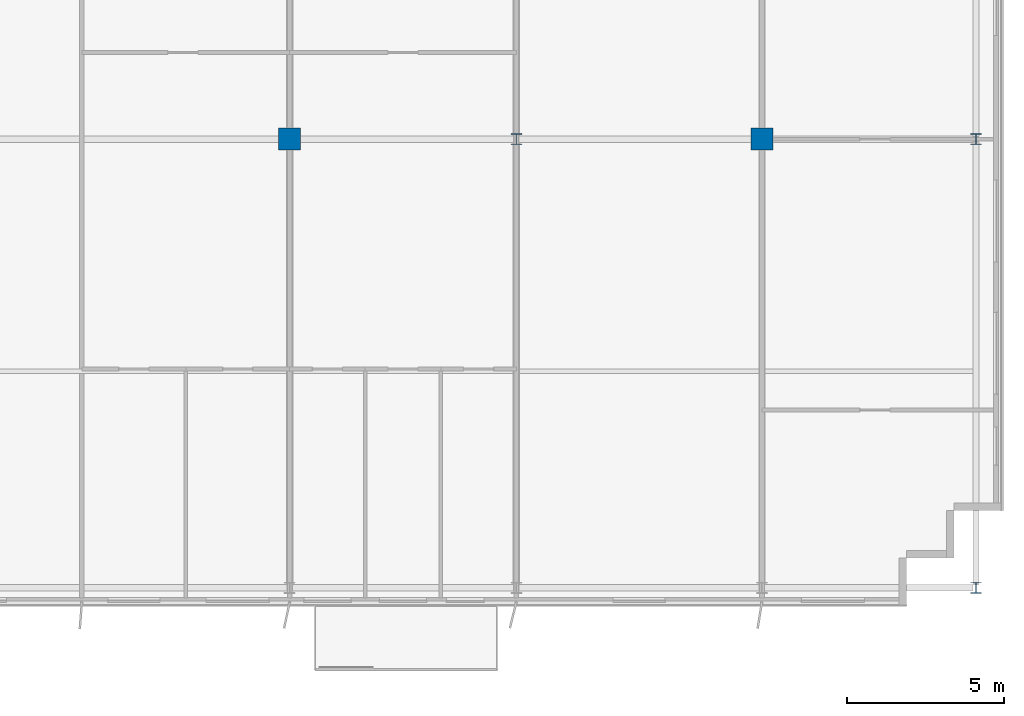
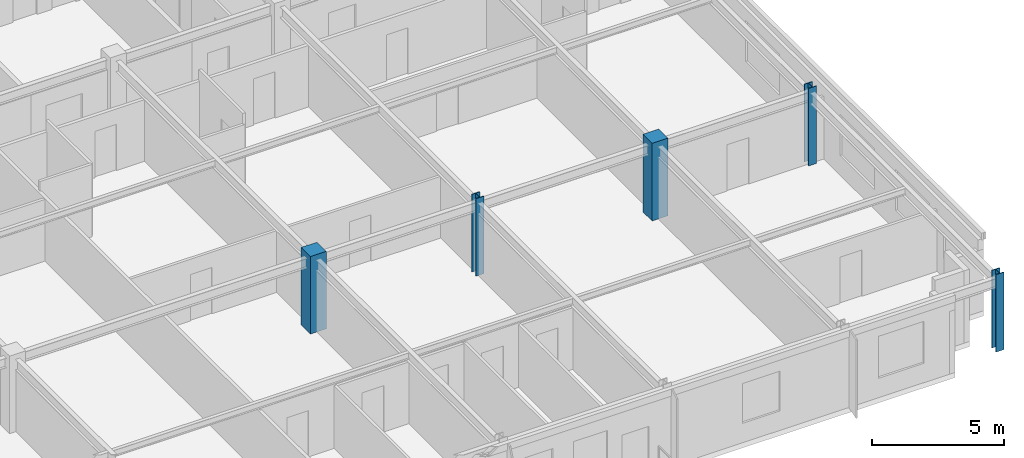
# One storey, part 2 of 23: 5 columns.
"""IFC4 building model written with IfcOpenShell, lengths in metres."""

from ifc_helpers import new_model, si_unit, direction, frame, origin, origin_2d, place, context, subcontext, project, spatial, rectangle, i_section, extrude, source, transform, mapped, material, material_profile, profile_set, type_object, element, save


model = new_model("IFC4")

# Units and contexts
model_context = context("Model", 3, precision=1e-05, world=origin(), true_north=direction((0.0, 1.0)))
body_context = subcontext(model_context, "Body", "Model", "MODEL_VIEW")
ifc_project = project(units=[si_unit("LENGTHUNIT", "METRE"), si_unit("AREAUNIT", "SQUARE_METRE"), si_unit("VOLUMEUNIT", "CUBIC_METRE"), si_unit("PLANEANGLEUNIT", "RADIAN"), si_unit("MASSUNIT", "GRAM", prefix="KILO")], contexts=[model_context])

# Site, building, storey
site_placement = place(None, origin())
site = spatial("IfcSite", under=ifc_project, at=site_placement, CompositionType="ELEMENT")
building_placement = place(site_placement, origin())
building = spatial("IfcBuilding", under=site, at=building_placement, Name="Trelvane Seafront Commons", CompositionType="ELEMENT")
storey_placement = place(building_placement, frame((0.0, 0.0, 222.89990234375)))
storey = spatial("IfcBuildingStorey", under=building, at=storey_placement, Name="L58", CompositionType="ELEMENT", Elevation=222.89990234375)

# Columns
ifc_material_1 = material(Name="Concrete C50/60", Category="concrete")
ifc_material_profile_1 = material_profile(ifc_material_1, rectangle(XDim=0.699951171875, YDim=0.699951171875, at=origin_2d()), Name="RC-700x700")
ifc_profile_set_1 = profile_set([ifc_material_profile_1], Name="Concrete C50/60")
column_type_1 = type_object("IfcColumnType", Name="STR-COL-RC700", PredefinedType="COLUMN", material=ifc_profile_set_1)
shared_shape_1 = source(origin(), body_context, "Body", "SweptSolid", [
    extrude(rectangle(XDim=0.699951171875, YDim=0.699951171875, at=origin_2d()), origin(), (0.0, 0.0, 1.0), 3.60009765625),
])
for number, where, z_axis, x_axis, name in (
    (1, (43.800048828125, 18.199951171875, 0.0), (0.0, 0.0, 1.0), (1.0, 0.0, 0.0), "L58 Column TC-M43.8"),
    (2, (58.800048828125, 18.199951171875, 0.0), (0.0, 0.0, 1.0), (1.0, 0.0, 0.0), "L58 Column TC-M58.8"),
):
    element("IfcColumn", number, at=place(storey_placement, frame(where, z_axis=z_axis, x_axis=x_axis)), inside=storey, type_object=column_type_1, Name=name, PredefinedType="COLUMN", context=body_context, shape_type="MappedRepresentation", body=[
        mapped(shared_shape_1, transform((0.0, 0.0, 0.0), x_axis=(1.0, 0.0, 0.0), y_axis=(0.0, 1.0, 0.0), z_axis=(0.0, 0.0, 1.0), scale=1.0)),
    ])
ifc_material_2 = material(Name="Steel SM355 (S355)", Category="steel")
ifc_material_profile_2 = material_profile(ifc_material_2, i_section(OverallWidth=0.35009765625, OverallDepth=0.35009765625, WebThickness=0.01806640625, FlangeThickness=0.028076171875, at=origin_2d()), Name="HD-350x350x18x28")
ifc_profile_set_2 = profile_set([ifc_material_profile_2], Name="Steel SM355 (S355)")
column_type_2 = type_object("IfcColumnType", Name="STR-COL-HD350", PredefinedType="COLUMN", material=ifc_profile_set_2)
shared_shape_2 = source(origin(), body_context, "Body", "SweptSolid", [
    extrude(i_section(OverallWidth=0.35009765625, OverallDepth=0.35009765625, WebThickness=0.01806640625, FlangeThickness=0.028076171875, at=origin_2d()), origin(), (0.0, 0.0, 1.0), 3.60009765625),
])
for number, where, z_axis, x_axis, name in (
    (3, (51.0, 18.199951171875, 0.0), (0.0, 0.0, 1.0), (1.0, 0.0, 0.0), "L58 Column TC-M51.0"),
    (4, (65.60009765625, 3.949951171875, 0.0), (0.0, 0.0, 1.0), (1.0, 0.0, 0.0), "L58 Column TC-S65.6"),
    (5, (65.60009765625, 18.199951171875, 0.0), (0.0, 0.0, 1.0), (1.0, 0.0, 0.0), "L58 Column TC-M65.6"),
):
    element("IfcColumn", number, at=place(storey_placement, frame(where, z_axis=z_axis, x_axis=x_axis)), inside=storey, type_object=column_type_2, Name=name, PredefinedType="COLUMN", context=body_context, shape_type="MappedRepresentation", body=[
        mapped(shared_shape_2, transform((0.0, 0.0, 0.0), x_axis=(1.0, 0.0, 0.0), y_axis=(0.0, 1.0, 0.0), z_axis=(0.0, 0.0, 1.0), scale=1.0)),
    ])

save(model, "model.ifc")
